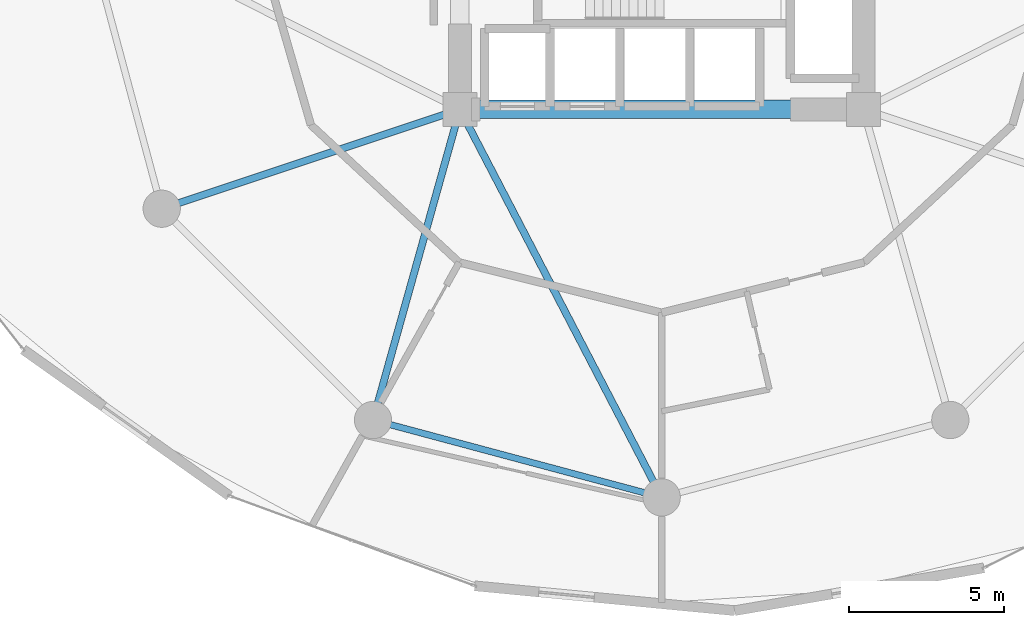
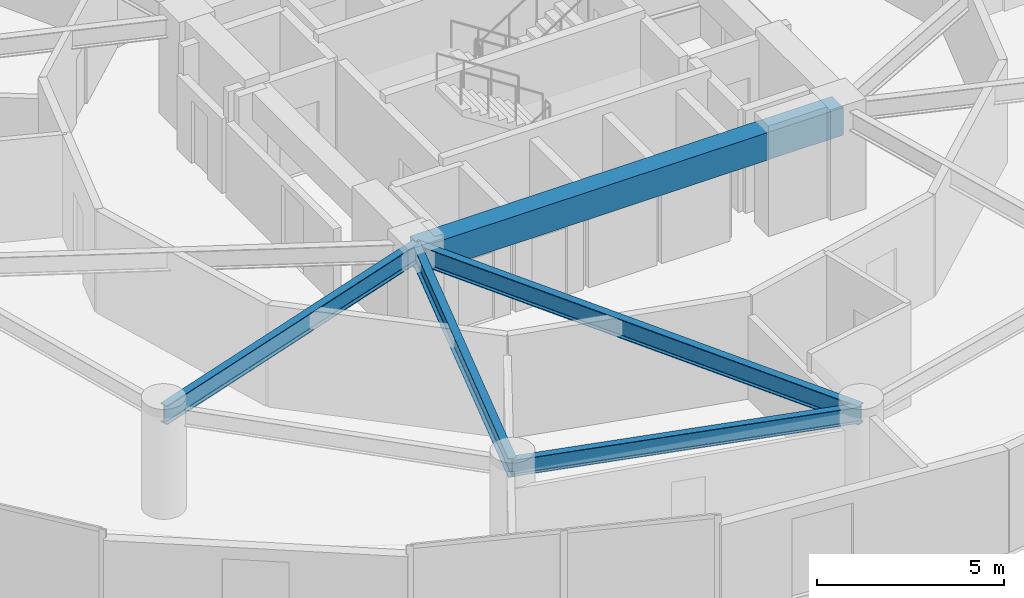
# One storey, part 5 of 22: 5 beams.
"""IFC4 building model written with IfcOpenShell, lengths in metres."""

from ifc_helpers import new_model, si_unit, direction, frame, origin, origin_2d, place, context, subcontext, project, spatial, rectangle, i_section, extrude, material, material_profile, profile_set, type_object, element, save


model = new_model("IFC4")

# Units and contexts
model_context = context("Model", 3, precision=1e-05, world=origin(), true_north=direction((0.0, 1.0)))
body_context = subcontext(model_context, "Body", "Model", "MODEL_VIEW")
ifc_project = project(units=[si_unit("LENGTHUNIT", "METRE"), si_unit("AREAUNIT", "SQUARE_METRE"), si_unit("VOLUMEUNIT", "CUBIC_METRE"), si_unit("PLANEANGLEUNIT", "RADIAN"), si_unit("MASSUNIT", "GRAM", prefix="KILO")], contexts=[model_context])

# Site, building, storey
site_placement = place(None, origin())
site = spatial("IfcSite", under=ifc_project, at=site_placement, CompositionType="ELEMENT")
building_placement = place(site_placement, origin())
building = spatial("IfcBuilding", under=site, at=building_placement, Name="Solvirekh Grand Hotel", CompositionType="ELEMENT")
storey_placement = place(building_placement, frame((0.0, 0.0, 53.60009765625)))
storey = spatial("IfcBuildingStorey", under=building, at=storey_placement, Name="L12", CompositionType="ELEMENT", Elevation=53.60009765625)

# Beams
ifc_material_1 = material(Name="Concrete C50/60", Category="concrete")
ifc_material_profile_1 = material_profile(ifc_material_1, rectangle(XDim=0.60009765625, YDim=0.89990234375, at=origin_2d()), Name="RC BEAM 600X900")
ifc_profile_set_1 = profile_set([ifc_material_profile_1], Name="Concrete C50/60")
beam_type_1 = type_object("IfcBeamType", Name="Beam_Core_RC900", PredefinedType="BEAM", material=ifc_profile_set_1)
beam_1_placement = place(storey_placement, frame((-6.5, -6.10009765625, 2.889892578125), z_axis=(1.0, 0.0, 0.0), x_axis=(0.0, 1.0, 0.0)))
element("IfcBeam", 1, at=beam_1_placement, inside=storey, type_object=beam_type_1, Name="L12 core coupling ring beam 1", PredefinedType="BEAM", context=body_context, shape_type="SweptSolid", body=[
    extrude(rectangle(XDim=0.60009765625, YDim=0.89990234375, at=origin_2d()), origin(), (0.0, 0.0, 1.0), 13.0),
])
ifc_material_2 = material(Name="Steel S355", Category="steel")
ifc_material_profile_2 = material_profile(ifc_material_2, i_section(OverallWidth=0.22998046875, OverallDepth=0.615966796875, WebThickness=0.013916015625, FlangeThickness=0.02392578125, FilletRadius=0.014892578125, at=origin_2d()), Name="W610X174")
ifc_profile_set_2 = profile_set([ifc_material_profile_2], Name="Steel S355")
beam_type_2 = type_object("IfcBeamType", Name="Beam_Primary_W610H", PredefinedType="BEAM", material=ifc_profile_set_2)
beam_2_placement = place(storey_placement, frame((-6.5, -6.10009765625, 3.031982421875), z_axis=(-0.948762825819, -0.315989082635, 0.0), x_axis=(0.315989082635, -0.948762825819, 0.0)))
element("IfcBeam", 2, at=beam_2_placement, inside=storey, type_object=beam_type_2, Name="L12 radial floor beam R08", PredefinedType="BEAM", context=body_context, shape_type="SweptSolid", body=[
    extrude(i_section(OverallWidth=0.22998046875, OverallDepth=0.615966796875, WebThickness=0.013916015625, FlangeThickness=0.02392578125, FilletRadius=0.014892578125, at=origin_2d()), origin(), (0.0, 0.0, 1.0), 10.126708984375),
])
beam_3_placement = place(storey_placement, frame((-6.5, -6.10009765625, 3.031982421875), z_axis=(-0.269439084681, -0.963017434757, 0.0), x_axis=(0.963017434757, -0.269439084681, 0.0)))
element("IfcBeam", 3, at=beam_3_placement, inside=storey, type_object=beam_type_2, Name="L12 radial floor beam R09", PredefinedType="BEAM", context=body_context, shape_type="SweptSolid", body=[
    extrude(i_section(OverallWidth=0.22998046875, OverallDepth=0.615966796875, WebThickness=0.013916015625, FlangeThickness=0.02392578125, FilletRadius=0.014892578125, at=origin_2d()), origin(), (0.0, 0.0, 1.0), 10.39208984375),
])
beam_4_placement = place(storey_placement, frame((-6.5, -6.10009765625, 3.031982421875), z_axis=(0.461352736642, -0.887216801235, 0.0), x_axis=(0.887216801235, 0.461352736642, 0.0)))
element("IfcBeam", 4, at=beam_4_placement, inside=storey, type_object=beam_type_2, Name="L12 radial floor beam R10", PredefinedType="BEAM", context=body_context, shape_type="SweptSolid", body=[
    extrude(i_section(OverallWidth=0.22998046875, OverallDepth=0.615966796875, WebThickness=0.013916015625, FlangeThickness=0.02392578125, FilletRadius=0.014892578125, at=origin_2d()), origin(), (0.0, 0.0, 1.0), 14.089111328125),
])
ifc_material_profile_3 = material_profile(ifc_material_2, i_section(OverallWidth=0.208984375, OverallDepth=0.532958984375, WebThickness=0.010009765625, FlangeThickness=0.014892578125, FilletRadius=0.013916015625, at=origin_2d()), Name="W530X92")
ifc_profile_set_3 = profile_set([ifc_material_profile_3], Name="Steel S355")
beam_type_3 = type_object("IfcBeamType", Name="Spandrel_Ring_W530", PredefinedType="SPANDREL", material=ifc_profile_set_3)
beam_5_placement = place(storey_placement, frame((-9.300048828125, -16.10791015625, 3.072998046875), z_axis=(0.965919414426, -0.258842973314, 0.0), x_axis=(0.258842973314, 0.965919414426, 0.0)))
element("IfcBeam", 5, at=beam_5_placement, inside=storey, type_object=beam_type_3, Name="L12 perimeter spandrel beam 9", PredefinedType="SPANDREL", context=body_context, shape_type="SweptSolid", body=[
    extrude(i_section(OverallWidth=0.208984375, OverallDepth=0.532958984375, WebThickness=0.010009765625, FlangeThickness=0.014892578125, FilletRadius=0.013916015625, at=origin_2d()), origin(), (0.0, 0.0, 1.0), 9.628173828125),
])

save(model, "model.ifc")
